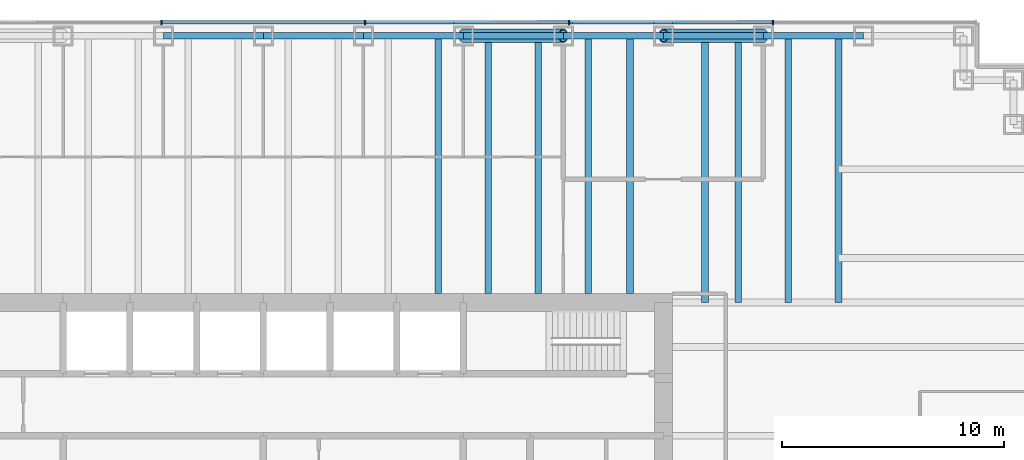
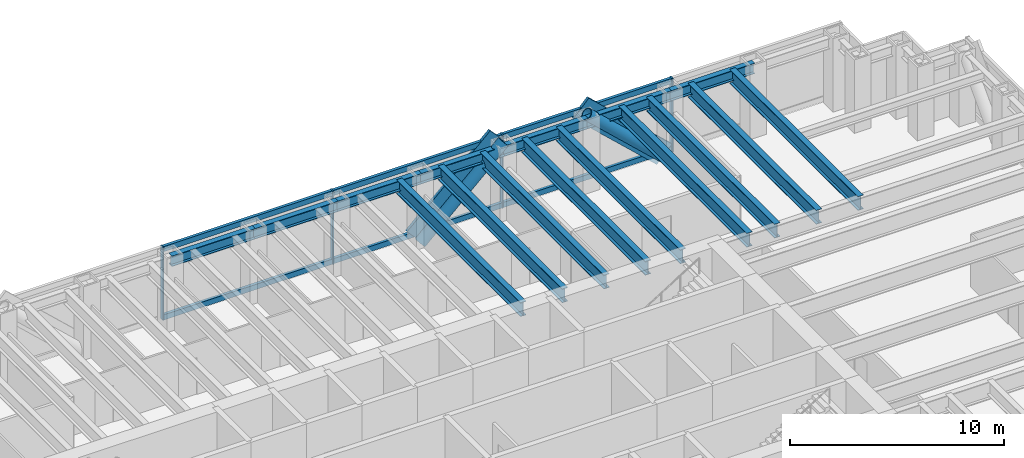
# One storey, part 6 of 14: 16 beams, 14 members, 1 element without a shape of its own.
"""IFC4 building model written with IfcOpenShell, lengths in metres."""

import ifcopenshell
import ifcopenshell.guid

model = None  # the IFC model being written
_history = None  # IfcOwnerHistory: only IFC2X3 demands one
_inside = {}  # id of a spatial element -> (the spatial element, [elements in it])
_under = {}  # id of a project, library or spatial element -> (it, [spatial elements below it])
_declared = {}  # id of a project -> (the project, [libraries it declares])
_typed = {}  # id of a type object -> (the type object, [elements of that type])
_made_of = {}  # id of a material, layer set ... -> (it, [elements and type objects made of it])


def new_model(schema):
    """Start an empty IFC model of exactly this schema.

    Asked for "IFC4X3", IfcOpenShell would pick the latest addendum, in which some entities
    have other attributes; the version numbers below select the first issue.
    IFC2X3 requires an IfcOwnerHistory on every rooted entity: one is made here for all.
    """
    global model, _history
    if schema == "IFC4X3":
        model = ifcopenshell.file(schema_version=(4, 3, 0, 0))
    else:
        model = ifcopenshell.file(schema=schema)
    _inside.clear()
    _under.clear()
    _declared.clear()
    _typed.clear()
    _made_of.clear()
    _history = None
    if model.schema == "IFC2X3":
        org = make("IfcOrganization", Name="unknown")
        user = make(
            "IfcPersonAndOrganization",
            ThePerson=make("IfcPerson", FamilyName="unknown"),
            TheOrganization=org,
        )
        app = make(
            "IfcApplication",
            ApplicationDeveloper=org,
            Version="unknown",
            ApplicationFullName="unknown",
            ApplicationIdentifier="unknown",
        )
        _history = make(
            "IfcOwnerHistory",
            OwningUser=user,
            OwningApplication=app,
            ChangeAction="ADDED",
            CreationDate=0,
        )
    return model


def make(cls, **values):
    """One entity of the class cls with the attributes given. An attribute that is None is left unset."""
    return model.create_entity(
        cls, **{name: value for name, value in values.items() if value is not None}
    )


def rooted(cls, **values):
    """An entity with a GlobalId (a new one), such as an element, a storey or a relation."""
    return make(cls, GlobalId=ifcopenshell.guid.new(), OwnerHistory=_history, **values)


def si_unit(unit_type, name, prefix=None):
    """IfcSIUnit, for example si_unit("LENGTHUNIT", "METRE", prefix="MILLI")."""
    return make("IfcSIUnit", UnitType=unit_type, Prefix=prefix, Name=name)


def assignment(units):
    """IfcUnitAssignment: the units of a project."""
    return None if units is None else make("IfcUnitAssignment", Units=units)


def point(xyz):
    """IfcCartesianPoint."""
    return None if xyz is None else make("IfcCartesianPoint", Coordinates=xyz)


def direction(xyz):
    """IfcDirection."""
    return None if xyz is None else make("IfcDirection", DirectionRatios=xyz)


def frame(location, z_axis=None, x_axis=None):
    """IfcAxis2Placement3D, a coordinate frame: its origin and axes. An axis left out is left unset."""
    return make(
        "IfcAxis2Placement3D",
        Location=point(location),
        Axis=direction(z_axis),
        RefDirection=direction(x_axis),
    )


def frame_2d(location, x_axis=None):
    """IfcAxis2Placement2D, a coordinate frame in the plane: its origin and x axis."""
    return make(
        "IfcAxis2Placement2D", Location=point(location), RefDirection=direction(x_axis)
    )


def origin():
    """The frame at (0, 0, 0) with its axes left unset."""
    return frame((0.0, 0.0, 0.0))


def origin_2d():
    """The frame at (0, 0) in the plane with its x axis left unset."""
    return frame_2d((0.0, 0.0))


def place(relative_to, where):
    """IfcLocalPlacement: puts the frame where relative to a parent placement (None: the world)."""
    return make(
        "IfcLocalPlacement", PlacementRelTo=relative_to, RelativePlacement=where
    )


def context(
    kind, dimensions, precision=None, world=None, true_north=None, identifier=None
):
    """IfcGeometricRepresentationContext, for example the 3D "Model" context."""
    return make(
        "IfcGeometricRepresentationContext",
        ContextIdentifier=identifier,
        ContextType=kind,
        CoordinateSpaceDimension=dimensions,
        Precision=precision,
        WorldCoordinateSystem=world,
        TrueNorth=true_north,
    )


def subcontext(parent, identifier, kind, view, scale=None):
    """IfcGeometricRepresentationSubContext, for example "Body" below "Model"."""
    return make(
        "IfcGeometricRepresentationSubContext",
        ContextIdentifier=identifier,
        ContextType=kind,
        ParentContext=parent,
        TargetScale=scale,
        TargetView=view,
    )


def project(units=None, contexts=None):
    """IfcProject with its units and contexts."""
    return rooted(
        "IfcProject",
        Name="project",
        RepresentationContexts=contexts,
        UnitsInContext=assignment(units),
    )


def spatial(cls, under=None, at=None, **own):
    """A site, building, storey or space (cls), placed at a placement, below another one or the project."""
    s = rooted(cls, ObjectPlacement=at, **own)
    if under is not None:
        _under.setdefault(under.id(), (under, []))[1].append(s)
    return s


def profile(cls, at=None, kind="AREA", **sizes):
    """A parametric profile (cls). Its sizes go by their IFC names, for example OverallWidth=200.0."""
    return make(cls, ProfileType=kind, Position=at, **sizes)


def rectangle(**sizes):
    """IfcRectangleProfileDef."""
    return profile("IfcRectangleProfileDef", **sizes)


def hollow_circle(**sizes):
    """IfcCircleHollowProfileDef."""
    return profile("IfcCircleHollowProfileDef", **sizes)


def i_section(**sizes):
    """IfcIShapeProfileDef."""
    return profile("IfcIShapeProfileDef", **sizes)


def extrude(swept, where, along, depth):
    """IfcExtrudedAreaSolid: the profile swept, set in the frame where, extruded along a direction by depth."""
    return make(
        "IfcExtrudedAreaSolid",
        SweptArea=swept,
        Position=where,
        ExtrudedDirection=direction(along),
        Depth=depth,
    )


def shape(context_of_items, identifier, shape_type, items):
    """IfcShapeRepresentation: the items that make up one representation, for example the "Body"."""
    return make(
        "IfcShapeRepresentation",
        ContextOfItems=context_of_items,
        RepresentationIdentifier=identifier,
        RepresentationType=shape_type,
        Items=items,
    )


def material(Name=None, Category=None):
    """IfcMaterial."""
    return make("IfcMaterial", Name=Name, Category=Category)


def material_profile(
    of_material, cross_section, Name=None, Category=None, Priority=None
):
    """IfcMaterialProfile: a cross section and its material."""
    return make(
        "IfcMaterialProfile",
        Name=Name,
        Material=of_material,
        Profile=cross_section,
        Priority=Priority,
        Category=Category,
    )


def profile_set(profiles, Name=None, composite=None):
    """IfcMaterialProfileSet."""
    return make(
        "IfcMaterialProfileSet",
        Name=Name,
        MaterialProfiles=profiles,
        CompositeProfile=composite,
    )


def made_of(thing, what):
    """Note that an element or type object is made of a material, layer set ...; save() writes the relation."""
    if what is not None:
        _made_of.setdefault(what.id(), (what, []))[1].append(thing)
    return thing


def type_object(cls, material=None, **own):
    """A type object (cls), such as IfcWallType, which elements share."""
    return made_of(rooted(cls, **own), material)


def element(
    cls,
    number,
    at=None,
    inside=None,
    cuts=None,
    type_object=None,
    material=None,
    context=None,
    identifier="Body",
    shape_type=None,
    held_by="IfcProductDefinitionShape",
    body=None,
    shapes=None,
    **own,
):
    """One element of the class cls, such as IfcWall. Its Tag is "e" and its number.

    at: its placement. inside: the storey or other place that contains it. cuts: it is an
    opening in that element (IfcRelVoidsElement). A single representation is given by context,
    identifier, shape_type and body (its items); several are given by shapes. held_by: the class
    of the entity that holds the representations. save() writes the other relations.
    """
    e = rooted(cls, Tag="e%d" % number, ObjectPlacement=at, **own)
    if body is not None:
        shapes = [shape(context, identifier, shape_type, body)]
    if shapes is not None:
        e.Representation = make(held_by, Representations=shapes)
    if inside is not None:
        _inside.setdefault(inside.id(), (inside, []))[1].append(e)
    if cuts is not None:
        rooted(
            "IfcRelVoidsElement", RelatingBuildingElement=cuts, RelatedOpeningElement=e
        )
    if type_object is not None:
        _typed.setdefault(type_object.id(), (type_object, []))[1].append(e)
    return made_of(e, material)


def aggregate(whole, parts):
    """IfcRelAggregates: a whole, such as a stair, and the parts it consists of."""
    return rooted("IfcRelAggregates", RelatingObject=whole, RelatedObjects=parts)


def save(model, path):
    """Write the relations noted so far, then the file.

    IfcRelAggregates (storeys below a building ...), IfcRelContainedInSpatialStructure (elements
    in a storey), IfcRelDefinesByType, IfcRelAssociatesMaterial and IfcRelDeclares: one each for
    every whole, place, type object, material and project.
    """
    for whole, parts in _under.values():
        aggregate(whole, parts)
    for where, things in _inside.values():
        rooted(
            "IfcRelContainedInSpatialStructure",
            RelatedElements=things,
            RelatingStructure=where,
        )
    for kind, things in _typed.values():
        rooted("IfcRelDefinesByType", RelatedObjects=things, RelatingType=kind)
    for what, things in _made_of.values():
        rooted("IfcRelAssociatesMaterial", RelatedObjects=things, RelatingMaterial=what)
    for by, libraries in _declared.values():
        rooted("IfcRelDeclares", RelatingContext=by, RelatedDefinitions=libraries)
    model.write(path)


model = new_model("IFC4")

# Units and contexts
model_context = context("Model", 3, precision=1e-05, world=origin(), true_north=direction((0.0, 1.0)))
body_context = subcontext(model_context, "Body", "Model", "MODEL_VIEW")
ifc_project = project(units=[si_unit("LENGTHUNIT", "METRE"), si_unit("AREAUNIT", "SQUARE_METRE"), si_unit("VOLUMEUNIT", "CUBIC_METRE"), si_unit("PLANEANGLEUNIT", "RADIAN"), si_unit("MASSUNIT", "GRAM", prefix="KILO")], contexts=[model_context])

# Site, building, storey
site_placement = place(None, origin())
site = spatial("IfcSite", under=ifc_project, at=site_placement, CompositionType="ELEMENT")
building_placement = place(site_placement, origin())
building = spatial("IfcBuilding", under=site, at=building_placement, Name="Rheinbord Bourse Tower", CompositionType="ELEMENT")
storey_placement = place(building_placement, frame((0.0, 0.0, 194.199951171875)))
storey = spatial("IfcBuildingStorey", under=building, at=storey_placement, Name="L43", CompositionType="ELEMENT", Elevation=194.199951171875)

# Curtain wall, members
ifc_material_1 = material(Name="Dark glass and black aluminium", Category="aluminium")
curtain_wall_type = type_object("IfcCurtainWallType", Name="CW2 DARK GLASS CURTAIN WALL", PredefinedType="USERDEFINED", material=ifc_material_1)
curtain_wall_placement = place(storey_placement, origin())
curtain_wall = element("IfcCurtainWall", 1, at=curtain_wall_placement, inside=storey, type_object=curtain_wall_type, Name="Curtain wall CW2 N L43", ObjectType="UNITISED CURTAIN WALL", PredefinedType="USERDEFINED")
ifc_material_2 = material(Name="Black anodised aluminium", Category="aluminium")
ifc_material_profile_1 = material_profile(ifc_material_2, rectangle(XDim=0.159912109375, YDim=1.2099609375, at=origin_2d()), Name="CW2 DIAGONAL MULLION 1210x160")
ifc_profile_set_1 = profile_set([ifc_material_profile_1], Name="Black anodised aluminium")
member_type_1 = type_object("IfcMemberType", Name="CW2 BLACK DIAGONAL MULLION", PredefinedType="USERDEFINED", material=ifc_profile_set_1)
member_1_placement = place(storey_placement, frame((58.5, 44.60009765625, 0.0), z_axis=(-0.73105922506, 0.0, 0.682314010889), x_axis=(0.0, -1.0, 0.0)))
member_1 = element("IfcMember", 2, at=member_1_placement, type_object=member_type_1, Name="CW2 diagonal mullion a", ObjectType="DIAGONAL MULLION", PredefinedType="USERDEFINED", context=body_context, shape_type="SweptSolid", body=[
    extrude(rectangle(XDim=0.159912109375, YDim=1.2099609375, at=origin_2d()), origin(), (0.0, 0.0, 1.0), 6.155517578125),
])
member_2_placement = place(storey_placement, frame((45.0, 44.60009765625, 0.0), z_axis=(0.73105922506, 0.0, 0.682314010889), x_axis=(0.0, 1.0, 0.0)))
member_2 = element("IfcMember", 3, at=member_2_placement, type_object=member_type_1, Name="CW2 diagonal mullion d", ObjectType="DIAGONAL MULLION", PredefinedType="USERDEFINED", context=body_context, shape_type="SweptSolid", body=[
    extrude(rectangle(XDim=0.159912109375, YDim=1.2099609375, at=origin_2d()), origin(), (0.0, 0.0, 1.0), 6.155517578125),
])
ifc_material_3 = material(Name="Black anodised aluminium", Category="aluminium")
ifc_material_profile_2 = material_profile(ifc_material_3, rectangle(XDim=0.219970703125, YDim=0.070068359375, at=origin_2d()), Name="CW2 MULLION 70x220")
ifc_profile_set_2 = profile_set([ifc_material_profile_2], Name="Black anodised aluminium")
member_type_2 = type_object("IfcMemberType", Name="CW2 BLACK MULLION", PredefinedType="MULLION", material=ifc_profile_set_2)
member_3_placement = place(storey_placement, frame((58.928466796875, 44.60009765625, 0.0), z_axis=(0.0, 0.0, 1.0), x_axis=(0.0, -1.0, 0.0)))
member_3 = element("IfcMember", 4, at=member_3_placement, type_object=member_type_2, Name="CW2 mullion 2", PredefinedType="MULLION", context=body_context, shape_type="SweptSolid", body=[
    extrude(rectangle(XDim=0.219970703125, YDim=0.070068359375, at=origin_2d()), origin(), (0.0, 0.0, 1.0), 4.199951171875),
])
member_4_placement = place(storey_placement, frame((49.757080078125, 44.60009765625, 0.0), z_axis=(0.0, 0.0, 1.0), x_axis=(0.0, -1.0, 0.0)))
member_4 = element("IfcMember", 5, at=member_4_placement, type_object=member_type_2, Name="CW2 mullion 3", PredefinedType="MULLION", context=body_context, shape_type="SweptSolid", body=[
    extrude(rectangle(XDim=0.219970703125, YDim=0.070068359375, at=origin_2d()), origin(), (0.0, 0.0, 1.0), 4.199951171875),
])
member_5_placement = place(storey_placement, frame((40.585693359375, 44.60009765625, 0.0), z_axis=(0.0, 0.0, 1.0), x_axis=(0.0, -1.0, 0.0)))
member_5 = element("IfcMember", 6, at=member_5_placement, type_object=member_type_2, Name="CW2 mullion 4", PredefinedType="MULLION", context=body_context, shape_type="SweptSolid", body=[
    extrude(rectangle(XDim=0.219970703125, YDim=0.070068359375, at=origin_2d()), origin(), (0.0, 0.0, 1.0), 4.199951171875),
])
member_6_placement = place(storey_placement, frame((31.414306640625, 44.60009765625, 0.0), z_axis=(0.0, 0.0, 1.0), x_axis=(0.0, -1.0, 0.0)))
member_6 = element("IfcMember", 7, at=member_6_placement, type_object=member_type_2, Name="CW2 mullion 5", PredefinedType="MULLION", context=body_context, shape_type="SweptSolid", body=[
    extrude(rectangle(XDim=0.219970703125, YDim=0.070068359375, at=origin_2d()), origin(), (0.0, 0.0, 1.0), 4.199951171875),
])
ifc_material_4 = material(Name="Black anodised aluminium", Category="aluminium")
ifc_material_profile_3 = material_profile(ifc_material_4, rectangle(XDim=0.159912109375, YDim=0.300048828125, at=origin_2d()), Name="CW2 TRANSOM 300x160")
ifc_profile_set_3 = profile_set([ifc_material_profile_3], Name="Black anodised aluminium")
member_type_3 = type_object("IfcMemberType", Name="CW2 BLACK TRANSOM", PredefinedType="USERDEFINED", material=ifc_profile_set_3)
member_7_placement = place(storey_placement, frame((58.8935546875, 44.60009765625, 0.150146484375), z_axis=(-1.0, 0.0, 0.0), x_axis=(0.0, -1.0, 0.0)))
member_7 = element("IfcMember", 8, at=member_7_placement, type_object=member_type_3, Name="CW2 transom 2.1", ObjectType="TRANSOM", PredefinedType="USERDEFINED", context=body_context, shape_type="SweptSolid", body=[
    extrude(rectangle(XDim=0.159912109375, YDim=0.300048828125, at=origin_2d()), origin(), (0.0, 0.0, 1.0), 9.101318359375),
])
member_8_placement = place(storey_placement, frame((58.8935546875, 44.60009765625, 4.050048828125), z_axis=(-1.0, 0.0, 0.0), x_axis=(0.0, -1.0, 0.0)))
member_8 = element("IfcMember", 9, at=member_8_placement, type_object=member_type_3, Name="CW2 transom 2.2", ObjectType="TRANSOM", PredefinedType="USERDEFINED", context=body_context, shape_type="SweptSolid", body=[
    extrude(rectangle(XDim=0.159912109375, YDim=0.300048828125, at=origin_2d()), origin(), (0.0, 0.0, 1.0), 9.101318359375),
])
member_9_placement = place(storey_placement, frame((49.72216796875, 44.60009765625, 0.150146484375), z_axis=(-1.0, 0.0, 0.0), x_axis=(0.0, -1.0, 0.0)))
member_9 = element("IfcMember", 10, at=member_9_placement, type_object=member_type_3, Name="CW2 transom 3.1", ObjectType="TRANSOM", PredefinedType="USERDEFINED", context=body_context, shape_type="SweptSolid", body=[
    extrude(rectangle(XDim=0.159912109375, YDim=0.300048828125, at=origin_2d()), origin(), (0.0, 0.0, 1.0), 9.1015625),
])
member_10_placement = place(storey_placement, frame((49.72216796875, 44.60009765625, 4.050048828125), z_axis=(-1.0, 0.0, 0.0), x_axis=(0.0, -1.0, 0.0)))
member_10 = element("IfcMember", 11, at=member_10_placement, type_object=member_type_3, Name="CW2 transom 3.2", ObjectType="TRANSOM", PredefinedType="USERDEFINED", context=body_context, shape_type="SweptSolid", body=[
    extrude(rectangle(XDim=0.159912109375, YDim=0.300048828125, at=origin_2d()), origin(), (0.0, 0.0, 1.0), 9.1015625),
])
member_11_placement = place(storey_placement, frame((40.55078125, 44.60009765625, 0.150146484375), z_axis=(-1.0, 0.0, 0.0), x_axis=(0.0, -1.0, 0.0)))
member_11 = element("IfcMember", 12, at=member_11_placement, type_object=member_type_3, Name="CW2 transom 4.1", ObjectType="TRANSOM", PredefinedType="USERDEFINED", context=body_context, shape_type="SweptSolid", body=[
    extrude(rectangle(XDim=0.159912109375, YDim=0.300048828125, at=origin_2d()), origin(), (0.0, 0.0, 1.0), 9.1015625),
])
member_12_placement = place(storey_placement, frame((40.55078125, 44.60009765625, 4.050048828125), z_axis=(-1.0, 0.0, 0.0), x_axis=(0.0, -1.0, 0.0)))
member_12 = element("IfcMember", 13, at=member_12_placement, type_object=member_type_3, Name="CW2 transom 4.2", ObjectType="TRANSOM", PredefinedType="USERDEFINED", context=body_context, shape_type="SweptSolid", body=[
    extrude(rectangle(XDim=0.159912109375, YDim=0.300048828125, at=origin_2d()), origin(), (0.0, 0.0, 1.0), 9.1015625),
])
aggregate(curtain_wall, [member_3, member_4, member_5, member_6, member_7, member_8, member_9, member_10, member_11, member_12, member_1, member_2])

# Beams
ifc_material_5 = material(Name="Steel S460", Category="steel")
ifc_material_profile_4 = material_profile(ifc_material_5, i_section(OverallWidth=0.300048828125, OverallDepth=0.800048828125, WebThickness=0.017578125, FlangeThickness=0.032958984375, at=origin_2d()), Name="HEB 800")
ifc_profile_set_4 = profile_set([ifc_material_profile_4], Name="Steel S460")
beam_type_1 = type_object("IfcBeamType", Name="FLOOR BEAM HEB 800", PredefinedType="BEAM", material=ifc_profile_set_4)
for number, where, z_axis, x_axis, name in (
    (14, (43.875, 44.0, 3.64013671875), (0.0, -1.0, 0.0), (1.0, 0.0, 0.0), "Floor beam N-40.5b L44"),
    (15, (46.125, 44.0, 3.64013671875), (0.0, -1.0, 0.0), (1.0, 0.0, 0.0), "Floor beam N-45a L44"),
    (16, (48.375, 44.0, 3.64013671875), (0.0, -1.0, 0.0), (1.0, 0.0, 0.0), "Floor beam N-45b L44"),
    (17, (50.625, 44.0, 3.64013671875), (0.0, -1.0, 0.0), (1.0, 0.0, 0.0), "Floor beam N-49.5a L44"),
    (18, (52.5, 44.0, 3.64013671875), (0.0, -1.0, 0.0), (1.0, 0.0, 0.0), "Floor beam N-49.5b L44"),
):
    element("IfcBeam", number, at=place(storey_placement, frame(where, z_axis=z_axis, x_axis=x_axis)), inside=storey, type_object=beam_type_1, Name=name, PredefinedType="BEAM", context=body_context, shape_type="SweptSolid", body=[
        extrude(i_section(OverallWidth=0.300048828125, OverallDepth=0.800048828125, WebThickness=0.017578125, FlangeThickness=0.032958984375, at=origin_2d()), origin(), (0.0, 0.0, 1.0), 11.60009765625),
    ])
for number, where, z_axis, x_axis, name in (
    (19, (55.875, 44.0, 3.64013671875), (0.0, -1.0, 0.0), (1.0, 0.0, 0.0), "Floor beam N-54a L44"),
    (20, (57.375, 44.0, 3.64013671875), (0.0, -1.0, 0.0), (1.0, 0.0, 0.0), "Floor beam N-54b L44"),
    (21, (59.625, 44.0, 3.64013671875), (0.0, -1.0, 0.0), (1.0, 0.0, 0.0), "Floor beam N-58.5a L44"),
    (22, (61.875, 44.0, 3.64013671875), (0.0, -1.0, 0.0), (1.0, 0.0, 0.0), "Floor beam N-58.5b L44"),
):
    element("IfcBeam", number, at=place(storey_placement, frame(where, z_axis=z_axis, x_axis=x_axis)), inside=storey, type_object=beam_type_1, Name=name, PredefinedType="BEAM", context=body_context, shape_type="SweptSolid", body=[
        extrude(i_section(OverallWidth=0.300048828125, OverallDepth=0.800048828125, WebThickness=0.017578125, FlangeThickness=0.032958984375, at=origin_2d()), origin(), (0.0, 0.0, 1.0), 12.0),
    ])

# Members
ifc_material_6 = material(Name="Steel S460", Category="steel")
ifc_material_profile_5 = material_profile(ifc_material_6, hollow_circle(Radius=0.304931640625, WallThickness=0.0400390625, at=origin_2d()), Name="CHS 610x40")
ifc_profile_set_5 = profile_set([ifc_material_profile_5], Name="Steel S460")
member_type_4 = type_object("IfcMemberType", Name="MEGABRACE CHS 610x40", PredefinedType="BRACE", material=ifc_profile_set_5)
for number, where, z_axis, x_axis, name in (
    (23, (58.5, 44.0, 0.0), (-0.73105922506, 0.0, 0.682314010889), (0.0, -1.0, 0.0), "Megabrace N face line a L43"),
    (24, (45.0, 44.0, 0.0), (0.73105922506, 0.0, 0.682314010889), (0.0, 1.0, 0.0), "Megabrace N face line d L43"),
):
    element("IfcMember", number, at=place(storey_placement, frame(where, z_axis=z_axis, x_axis=x_axis)), inside=storey, type_object=member_type_4, Name=name, PredefinedType="BRACE", context=body_context, shape_type="SweptSolid", body=[
        extrude(hollow_circle(Radius=0.304931640625, WallThickness=0.0400390625, at=origin_2d()), origin(), (0.0, 0.0, 1.0), 6.155517578125),
    ])

# Beams
ifc_material_7 = material(Name="Steel S460", Category="steel")
ifc_material_profile_6 = material_profile(ifc_material_7, i_section(OverallWidth=0.300048828125, OverallDepth=0.60009765625, WebThickness=0.015380859375, FlangeThickness=0.030029296875, at=origin_2d()), Name="HEB 600")
ifc_profile_set_6 = profile_set([ifc_material_profile_6], Name="Steel S460")
beam_type_2 = type_object("IfcBeamType", Name="SPANDREL HEB 600", PredefinedType="SPANDREL", material=ifc_profile_set_6)
for number, where, z_axis, x_axis, name in (
    (25, (63.0, 44.0, 3.739990234375), (-1.0, 0.0, 0.0), (0.0, -1.0, 0.0), "Spandrel N-63-N-58.5 under L44"),
    (26, (58.5, 44.0, 3.739990234375), (-1.0, 0.0, 0.0), (0.0, -1.0, 0.0), "Spandrel N-58.5-N-54 under L44"),
    (27, (54.0, 44.0, 3.739990234375), (-1.0, 0.0, 0.0), (0.0, -1.0, 0.0), "Spandrel N-54-N-49.5 under L44"),
    (28, (49.5, 44.0, 3.739990234375), (-1.0, 0.0, 0.0), (0.0, -1.0, 0.0), "Spandrel N-49.5-N-45 under L44"),
    (29, (45.0, 44.0, 3.739990234375), (-1.0, 0.0, 0.0), (0.0, -1.0, 0.0), "Spandrel N-45-N-40.5 under L44"),
    (30, (40.5, 44.0, 3.739990234375), (-1.0, 0.0, 0.0), (0.0, -1.0, 0.0), "Spandrel N-40.5-N-36 under L44"),
    (31, (36.0, 44.0, 3.739990234375), (-1.0, 0.0, 0.0), (0.0, -1.0, 0.0), "Spandrel N-36-N-31.5 under L44"),
):
    element("IfcBeam", number, at=place(storey_placement, frame(where, z_axis=z_axis, x_axis=x_axis)), inside=storey, type_object=beam_type_2, Name=name, PredefinedType="SPANDREL", context=body_context, shape_type="SweptSolid", body=[
        extrude(i_section(OverallWidth=0.300048828125, OverallDepth=0.60009765625, WebThickness=0.015380859375, FlangeThickness=0.030029296875, at=origin_2d()), origin(), (0.0, 0.0, 1.0), 4.5),
    ])

save(model, "model.ifc")
